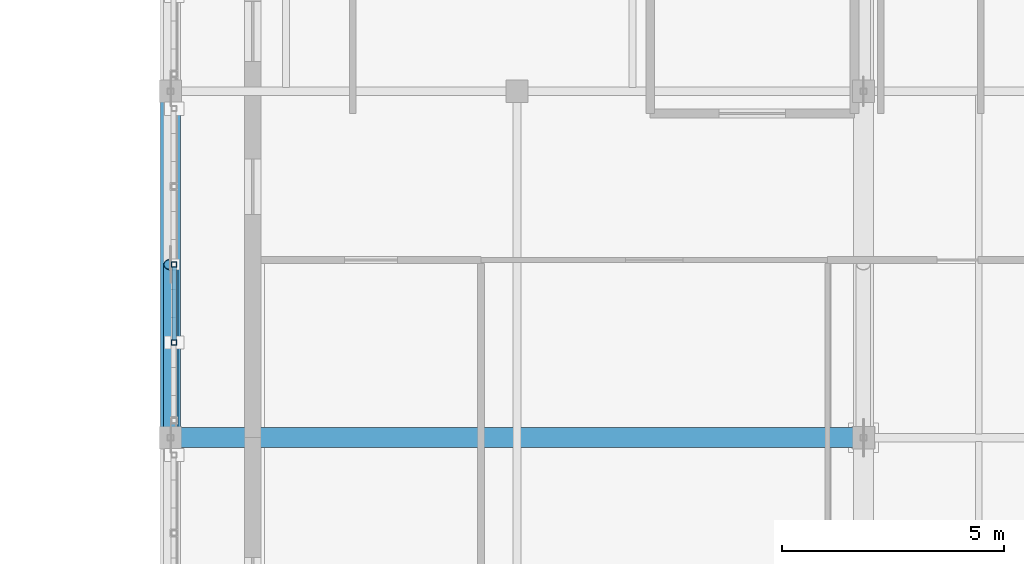
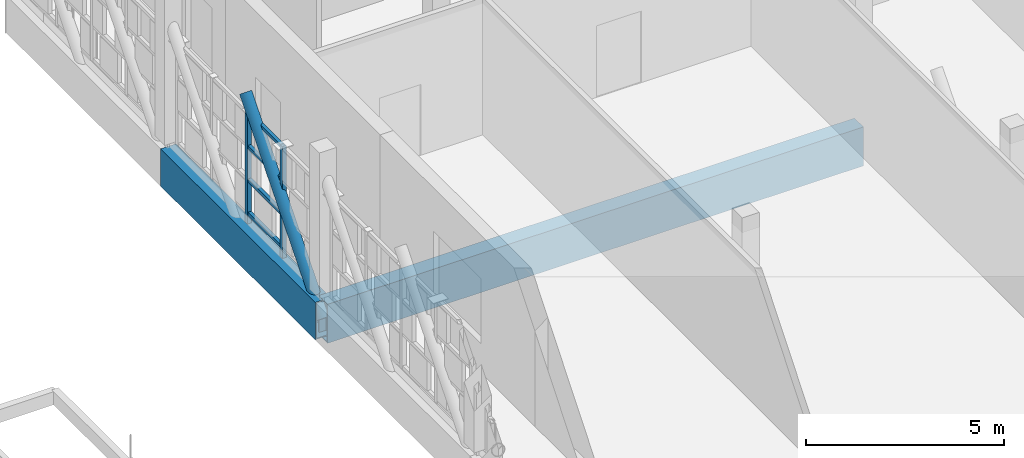
# One storey, part 14 of 89: 7 members, 2 beams.
"""IFC4 building model written with IfcOpenShell, lengths in metres."""

import ifcopenshell
import ifcopenshell.guid

model = None  # the IFC model being written
_history = None  # IfcOwnerHistory: only IFC2X3 demands one
_inside = {}  # id of a spatial element -> (the spatial element, [elements in it])
_under = {}  # id of a project, library or spatial element -> (it, [spatial elements below it])
_declared = {}  # id of a project -> (the project, [libraries it declares])
_typed = {}  # id of a type object -> (the type object, [elements of that type])
_made_of = {}  # id of a material, layer set ... -> (it, [elements and type objects made of it])


def new_model(schema):
    """Start an empty IFC model of exactly this schema.

    Asked for "IFC4X3", IfcOpenShell would pick the latest addendum, in which some entities
    have other attributes; the version numbers below select the first issue.
    IFC2X3 requires an IfcOwnerHistory on every rooted entity: one is made here for all.
    """
    global model, _history
    if schema == "IFC4X3":
        model = ifcopenshell.file(schema_version=(4, 3, 0, 0))
    else:
        model = ifcopenshell.file(schema=schema)
    _inside.clear()
    _under.clear()
    _declared.clear()
    _typed.clear()
    _made_of.clear()
    _history = None
    if model.schema == "IFC2X3":
        org = make("IfcOrganization", Name="unknown")
        user = make(
            "IfcPersonAndOrganization",
            ThePerson=make("IfcPerson", FamilyName="unknown"),
            TheOrganization=org,
        )
        app = make(
            "IfcApplication",
            ApplicationDeveloper=org,
            Version="unknown",
            ApplicationFullName="unknown",
            ApplicationIdentifier="unknown",
        )
        _history = make(
            "IfcOwnerHistory",
            OwningUser=user,
            OwningApplication=app,
            ChangeAction="ADDED",
            CreationDate=0,
        )
    return model


def make(cls, **values):
    """One entity of the class cls with the attributes given. An attribute that is None is left unset."""
    return model.create_entity(
        cls, **{name: value for name, value in values.items() if value is not None}
    )


def rooted(cls, **values):
    """An entity with a GlobalId (a new one), such as an element, a storey or a relation."""
    return make(cls, GlobalId=ifcopenshell.guid.new(), OwnerHistory=_history, **values)


def si_unit(unit_type, name, prefix=None):
    """IfcSIUnit, for example si_unit("LENGTHUNIT", "METRE", prefix="MILLI")."""
    return make("IfcSIUnit", UnitType=unit_type, Prefix=prefix, Name=name)


def assignment(units):
    """IfcUnitAssignment: the units of a project."""
    return None if units is None else make("IfcUnitAssignment", Units=units)


def point(xyz):
    """IfcCartesianPoint."""
    return None if xyz is None else make("IfcCartesianPoint", Coordinates=xyz)


def direction(xyz):
    """IfcDirection."""
    return None if xyz is None else make("IfcDirection", DirectionRatios=xyz)


def frame(location, z_axis=None, x_axis=None):
    """IfcAxis2Placement3D, a coordinate frame: its origin and axes. An axis left out is left unset."""
    return make(
        "IfcAxis2Placement3D",
        Location=point(location),
        Axis=direction(z_axis),
        RefDirection=direction(x_axis),
    )


def frame_2d(location, x_axis=None):
    """IfcAxis2Placement2D, a coordinate frame in the plane: its origin and x axis."""
    return make(
        "IfcAxis2Placement2D", Location=point(location), RefDirection=direction(x_axis)
    )


def origin():
    """The frame at (0, 0, 0) with its axes left unset."""
    return frame((0.0, 0.0, 0.0))


def origin_2d():
    """The frame at (0, 0) in the plane with its x axis left unset."""
    return frame_2d((0.0, 0.0))


def place(relative_to, where):
    """IfcLocalPlacement: puts the frame where relative to a parent placement (None: the world)."""
    return make(
        "IfcLocalPlacement", PlacementRelTo=relative_to, RelativePlacement=where
    )


def context(
    kind, dimensions, precision=None, world=None, true_north=None, identifier=None
):
    """IfcGeometricRepresentationContext, for example the 3D "Model" context."""
    return make(
        "IfcGeometricRepresentationContext",
        ContextIdentifier=identifier,
        ContextType=kind,
        CoordinateSpaceDimension=dimensions,
        Precision=precision,
        WorldCoordinateSystem=world,
        TrueNorth=true_north,
    )


def subcontext(parent, identifier, kind, view, scale=None):
    """IfcGeometricRepresentationSubContext, for example "Body" below "Model"."""
    return make(
        "IfcGeometricRepresentationSubContext",
        ContextIdentifier=identifier,
        ContextType=kind,
        ParentContext=parent,
        TargetScale=scale,
        TargetView=view,
    )


def project(units=None, contexts=None):
    """IfcProject with its units and contexts."""
    return rooted(
        "IfcProject",
        Name="project",
        RepresentationContexts=contexts,
        UnitsInContext=assignment(units),
    )


def spatial(cls, under=None, at=None, **own):
    """A site, building, storey or space (cls), placed at a placement, below another one or the project."""
    s = rooted(cls, ObjectPlacement=at, **own)
    if under is not None:
        _under.setdefault(under.id(), (under, []))[1].append(s)
    return s


def profile(cls, at=None, kind="AREA", **sizes):
    """A parametric profile (cls). Its sizes go by their IFC names, for example OverallWidth=200.0."""
    return make(cls, ProfileType=kind, Position=at, **sizes)


def hollow_rectangle(**sizes):
    """IfcRectangleHollowProfileDef."""
    return profile("IfcRectangleHollowProfileDef", **sizes)


def hollow_circle(**sizes):
    """IfcCircleHollowProfileDef."""
    return profile("IfcCircleHollowProfileDef", **sizes)


def extrude(swept, where, along, depth):
    """IfcExtrudedAreaSolid: the profile swept, set in the frame where, extruded along a direction by depth."""
    return make(
        "IfcExtrudedAreaSolid",
        SweptArea=swept,
        Position=where,
        ExtrudedDirection=direction(along),
        Depth=depth,
    )


def shape(context_of_items, identifier, shape_type, items):
    """IfcShapeRepresentation: the items that make up one representation, for example the "Body"."""
    return make(
        "IfcShapeRepresentation",
        ContextOfItems=context_of_items,
        RepresentationIdentifier=identifier,
        RepresentationType=shape_type,
        Items=items,
    )


def material(Name=None, Category=None):
    """IfcMaterial."""
    return make("IfcMaterial", Name=Name, Category=Category)


def material_profile(
    of_material, cross_section, Name=None, Category=None, Priority=None
):
    """IfcMaterialProfile: a cross section and its material."""
    return make(
        "IfcMaterialProfile",
        Name=Name,
        Material=of_material,
        Profile=cross_section,
        Priority=Priority,
        Category=Category,
    )


def profile_set(profiles, Name=None, composite=None):
    """IfcMaterialProfileSet."""
    return make(
        "IfcMaterialProfileSet",
        Name=Name,
        MaterialProfiles=profiles,
        CompositeProfile=composite,
    )


def made_of(thing, what):
    """Note that an element or type object is made of a material, layer set ...; save() writes the relation."""
    if what is not None:
        _made_of.setdefault(what.id(), (what, []))[1].append(thing)
    return thing


def type_object(cls, material=None, **own):
    """A type object (cls), such as IfcWallType, which elements share."""
    return made_of(rooted(cls, **own), material)


def element(
    cls,
    number,
    at=None,
    inside=None,
    cuts=None,
    type_object=None,
    material=None,
    context=None,
    identifier="Body",
    shape_type=None,
    held_by="IfcProductDefinitionShape",
    body=None,
    shapes=None,
    **own,
):
    """One element of the class cls, such as IfcWall. Its Tag is "e" and its number.

    at: its placement. inside: the storey or other place that contains it. cuts: it is an
    opening in that element (IfcRelVoidsElement). A single representation is given by context,
    identifier, shape_type and body (its items); several are given by shapes. held_by: the class
    of the entity that holds the representations. save() writes the other relations.
    """
    e = rooted(cls, Tag="e%d" % number, ObjectPlacement=at, **own)
    if body is not None:
        shapes = [shape(context, identifier, shape_type, body)]
    if shapes is not None:
        e.Representation = make(held_by, Representations=shapes)
    if inside is not None:
        _inside.setdefault(inside.id(), (inside, []))[1].append(e)
    if cuts is not None:
        rooted(
            "IfcRelVoidsElement", RelatingBuildingElement=cuts, RelatedOpeningElement=e
        )
    if type_object is not None:
        _typed.setdefault(type_object.id(), (type_object, []))[1].append(e)
    return made_of(e, material)


def aggregate(whole, parts):
    """IfcRelAggregates: a whole, such as a stair, and the parts it consists of."""
    return rooted("IfcRelAggregates", RelatingObject=whole, RelatedObjects=parts)


def save(model, path):
    """Write the relations noted so far, then the file.

    IfcRelAggregates (storeys below a building ...), IfcRelContainedInSpatialStructure (elements
    in a storey), IfcRelDefinesByType, IfcRelAssociatesMaterial and IfcRelDeclares: one each for
    every whole, place, type object, material and project.
    """
    for whole, parts in _under.values():
        aggregate(whole, parts)
    for where, things in _inside.values():
        rooted(
            "IfcRelContainedInSpatialStructure",
            RelatedElements=things,
            RelatingStructure=where,
        )
    for kind, things in _typed.values():
        rooted("IfcRelDefinesByType", RelatedObjects=things, RelatingType=kind)
    for what, things in _made_of.values():
        rooted("IfcRelAssociatesMaterial", RelatedObjects=things, RelatingMaterial=what)
    for by, libraries in _declared.values():
        rooted("IfcRelDeclares", RelatingContext=by, RelatedDefinitions=libraries)
    model.write(path)


model = new_model("IFC4")

# Units and contexts
model_context = context("Model", 3, precision=1e-05, world=origin(), true_north=direction((0.0, 1.0)))
body_context = subcontext(model_context, "Body", "Model", "MODEL_VIEW")
ifc_project = project(units=[si_unit("LENGTHUNIT", "METRE"), si_unit("AREAUNIT", "SQUARE_METRE"), si_unit("VOLUMEUNIT", "CUBIC_METRE"), si_unit("PLANEANGLEUNIT", "RADIAN"), si_unit("MASSUNIT", "GRAM", prefix="KILO")], contexts=[model_context])

# Site, building, storey
site_placement = place(None, origin())
site = spatial("IfcSite", under=ifc_project, at=site_placement, CompositionType="ELEMENT")
building_placement = place(site_placement, origin())
building = spatial("IfcBuilding", under=site, at=building_placement, Name="Celorna Specialist Clinic", CompositionType="ELEMENT")
storey_placement = place(building_placement, frame((0.0, 0.0, 14.10009765625)))
storey = spatial("IfcBuildingStorey", under=building, at=storey_placement, Name="L03", CompositionType="ELEMENT", Elevation=14.10009765625)

# Beams
ifc_material = material(Name="Steel S355", Category="steel")
ifc_material_profile_1 = material_profile(ifc_material, hollow_rectangle(XDim=0.449951171875, YDim=1.14990234375, WallThickness=0.031982421875, at=origin_2d()), Name="BOX 450x1150x32")
ifc_profile_set_1 = profile_set([ifc_material_profile_1], Name="Steel S355")
beam_type_1 = type_object("IfcBeamType", Name="BM-01", PredefinedType="BEAM", material=ifc_profile_set_1)
beam_1_placement = place(storey_placement, frame((54.60009765625, 27.300048828125, -0.835205078125), z_axis=(0.0, 1.0, 0.0), x_axis=(-1.0, 0.0, 0.0)))
element("IfcBeam", 1, at=beam_1_placement, inside=storey, type_object=beam_type_1, Name="Cantilever Pratt truss chord WP-008-WP-009", PredefinedType="BEAM", context=body_context, shape_type="SweptSolid", body=[
    extrude(hollow_rectangle(XDim=0.449951171875, YDim=1.14990234375, WallThickness=0.031982421875, at=origin_2d()), origin(), (0.0, 0.0, 1.0), 7.800048828125),
])
ifc_material_profile_2 = material_profile(ifc_material, hollow_rectangle(XDim=0.449951171875, YDim=1.199951171875, WallThickness=0.031982421875, at=origin_2d()), Name="BOX 450x1200x32")
ifc_profile_set_2 = profile_set([ifc_material_profile_2], Name="Steel S355")
beam_type_2 = type_object("IfcBeamType", Name="BM-02", PredefinedType="BEAM", material=ifc_profile_set_2)
beam_2_placement = place(storey_placement, frame((54.60009765625, 27.300048828125, -0.860107421875), z_axis=(1.0, 0.0, 0.0), x_axis=(0.0, 1.0, 0.0)))
element("IfcBeam", 2, at=beam_2_placement, inside=storey, type_object=beam_type_2, Name="Lecture theatre transfer girder BM-02 #26", PredefinedType="BEAM", context=body_context, shape_type="SweptSolid", body=[
    extrude(hollow_rectangle(XDim=0.449951171875, YDim=1.199951171875, WallThickness=0.031982421875, at=origin_2d()), origin(), (0.0, 0.0, 1.0), 15.599853515625),
])

# Members
ifc_material_profile_3 = material_profile(ifc_material, hollow_circle(Radius=0.161865234375, WallThickness=0.01611328125, at=origin_2d()), Name="CHS 323.9x16")
ifc_profile_set_3 = profile_set([ifc_material_profile_3], Name="Steel S355")
member_type_1 = type_object("IfcMemberType", Name="MB-05", PredefinedType="BRACE", material=ifc_profile_set_3)
member_placement = place(storey_placement, frame((54.60009765625, 27.300048828125, -0.835205078125), z_axis=(0.0, 0.64666784298, 0.762771722638), x_axis=(-1.0, 0.0, 0.0)))
element("IfcMember", 3, at=member_placement, inside=storey, type_object=member_type_1, Name="Cantilever Pratt truss web diagonal WP-008-WP-032", PredefinedType="BRACE", context=body_context, shape_type="SweptSolid", body=[
    extrude(hollow_circle(Radius=0.161865234375, WallThickness=0.01611328125, at=origin_2d()), origin(), (0.0, 0.0, 1.0), 6.03076171875),
])
ifc_material_profile_4 = material_profile(ifc_material, hollow_rectangle(XDim=0.1201171875, YDim=0.1201171875, WallThickness=0.008056640625, at=origin_2d()), Name="SHS 120x120x8")
ifc_profile_set_4 = profile_set([ifc_material_profile_4], Name="Steel S355")
member_type_2 = type_object("IfcMemberType", Name="MB-11", PredefinedType="STUD", material=ifc_profile_set_4)
for number, where, z_axis, x_axis, name in (
    (4, (54.679931640625, 29.445068359375, -0.360107421875), (0.0, 0.0, 1.0), (1.0, 0.0, 0.0), "Perforated screen steel post #310"),
    (5, (54.679931640625, 31.199951171875, -0.360107421875), (0.0, 0.0, 1.0), (1.0, 0.0, 0.0), "Perforated screen steel post #311"),
):
    element("IfcMember", number, at=place(storey_placement, frame(where, z_axis=z_axis, x_axis=x_axis)), inside=storey, type_object=member_type_2, Name=name, PredefinedType="STUD", context=body_context, shape_type="SweptSolid", body=[
        extrude(hollow_rectangle(XDim=0.1201171875, YDim=0.1201171875, WallThickness=0.008056640625, at=origin_2d()), origin(), (0.0, 0.0, 1.0), 3.5400390625),
    ])
ifc_material_profile_5 = material_profile(ifc_material, hollow_rectangle(XDim=0.10009765625, YDim=0.10009765625, WallThickness=0.006103515625, at=origin_2d()), Name="SHS 100x100x6")
ifc_profile_set_5 = profile_set([ifc_material_profile_5], Name="Steel S355")
member_type_3 = type_object("IfcMemberType", Name="MB-12", PredefinedType="STUD", material=ifc_profile_set_5)
for number, where, z_axis, x_axis, name in (
    (6, (54.679931640625, 29.5048828125, 0.0498046875), (0.0, 1.0, 0.0), (-1.0, 0.0, 0.0), "Perforated screen rail #318"),
    (7, (54.679931640625, 29.5048828125, 1.07666015625), (0.0, 1.0, 0.0), (-1.0, 0.0, 0.0), "Perforated screen rail #319"),
    (8, (54.679931640625, 29.5048828125, 2.103271484375), (0.0, 1.0, 0.0), (-1.0, 0.0, 0.0), "Perforated screen rail #320"),
    (9, (54.679931640625, 29.5048828125, 3.1298828125), (0.0, 1.0, 0.0), (-1.0, 0.0, 0.0), "Perforated screen rail #321"),
):
    element("IfcMember", number, at=place(storey_placement, frame(where, z_axis=z_axis, x_axis=x_axis)), inside=storey, type_object=member_type_3, Name=name, PredefinedType="STUD", context=body_context, shape_type="SweptSolid", body=[
        extrude(hollow_rectangle(XDim=0.10009765625, YDim=0.10009765625, WallThickness=0.006103515625, at=origin_2d()), origin(), (0.0, 0.0, 1.0), 1.635009765625),
    ])

save(model, "model.ifc")
